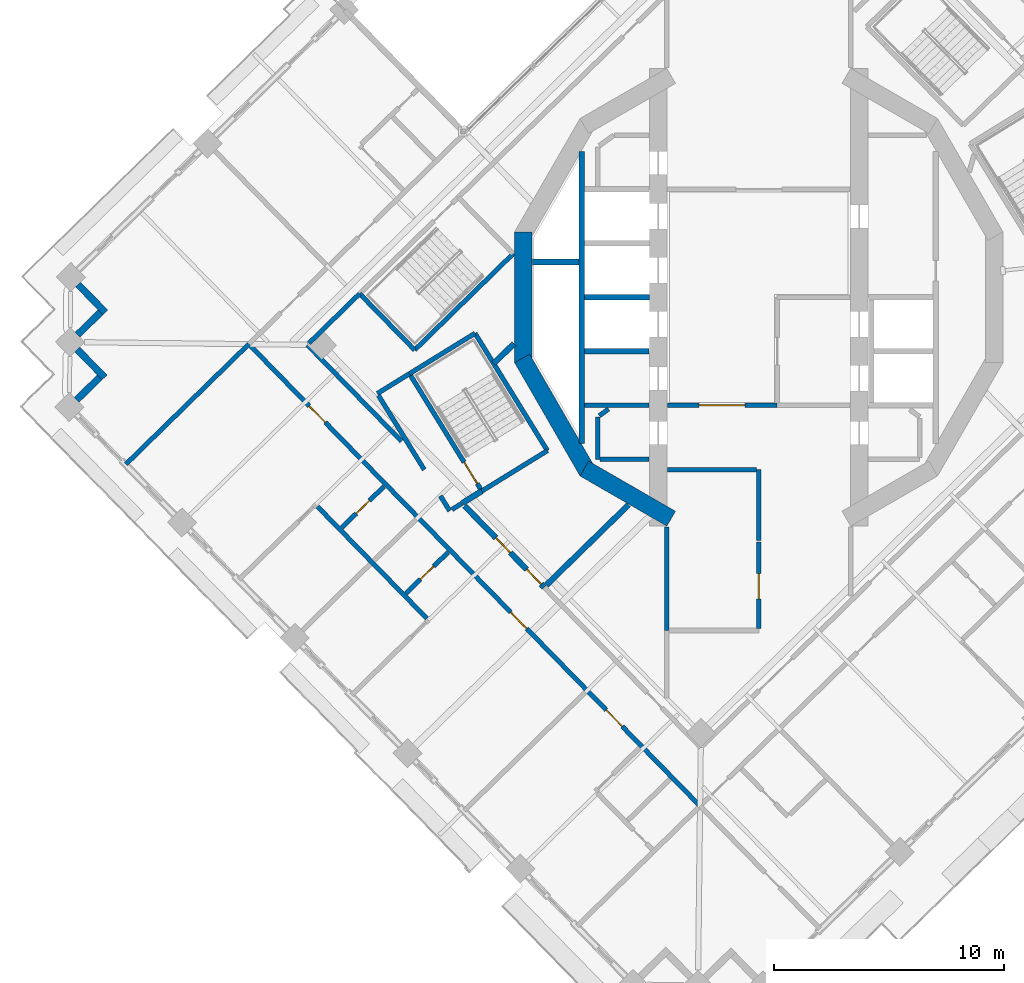
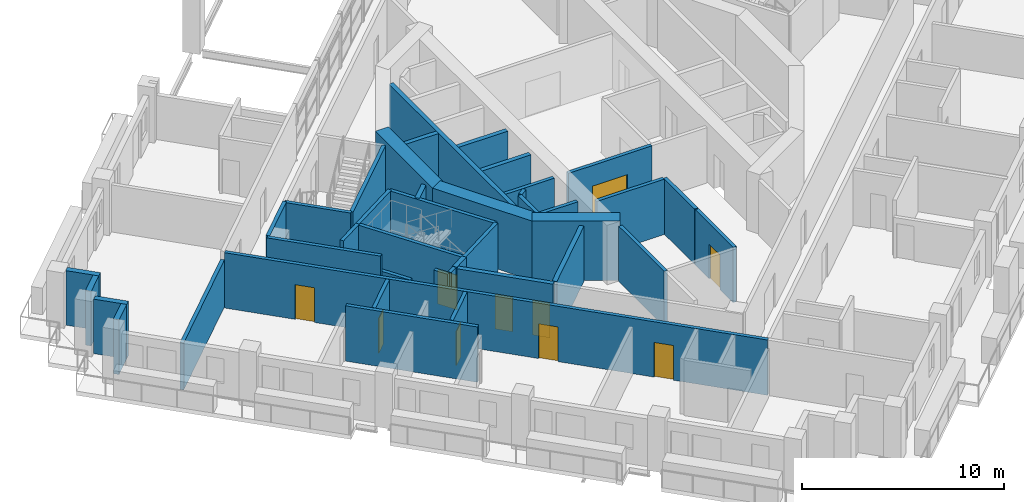
# One storey, part 6 of 19: 41 walls, 10 doors, 10 openings.
"""IFC4 building model written with IfcOpenShell, lengths in metres."""

import ifcopenshell
import ifcopenshell.guid

model = None  # the IFC model being written
_history = None  # IfcOwnerHistory: only IFC2X3 demands one
_inside = {}  # id of a spatial element -> (the spatial element, [elements in it])
_under = {}  # id of a project, library or spatial element -> (it, [spatial elements below it])
_declared = {}  # id of a project -> (the project, [libraries it declares])
_typed = {}  # id of a type object -> (the type object, [elements of that type])
_made_of = {}  # id of a material, layer set ... -> (it, [elements and type objects made of it])


def new_model(schema):
    """Start an empty IFC model of exactly this schema.

    Asked for "IFC4X3", IfcOpenShell would pick the latest addendum, in which some entities
    have other attributes; the version numbers below select the first issue.
    IFC2X3 requires an IfcOwnerHistory on every rooted entity: one is made here for all.
    """
    global model, _history
    if schema == "IFC4X3":
        model = ifcopenshell.file(schema_version=(4, 3, 0, 0))
    else:
        model = ifcopenshell.file(schema=schema)
    _inside.clear()
    _under.clear()
    _declared.clear()
    _typed.clear()
    _made_of.clear()
    _history = None
    if model.schema == "IFC2X3":
        org = make("IfcOrganization", Name="unknown")
        user = make(
            "IfcPersonAndOrganization",
            ThePerson=make("IfcPerson", FamilyName="unknown"),
            TheOrganization=org,
        )
        app = make(
            "IfcApplication",
            ApplicationDeveloper=org,
            Version="unknown",
            ApplicationFullName="unknown",
            ApplicationIdentifier="unknown",
        )
        _history = make(
            "IfcOwnerHistory",
            OwningUser=user,
            OwningApplication=app,
            ChangeAction="ADDED",
            CreationDate=0,
        )
    return model


def make(cls, **values):
    """One entity of the class cls with the attributes given. An attribute that is None is left unset."""
    return model.create_entity(
        cls, **{name: value for name, value in values.items() if value is not None}
    )


def rooted(cls, **values):
    """An entity with a GlobalId (a new one), such as an element, a storey or a relation."""
    return make(cls, GlobalId=ifcopenshell.guid.new(), OwnerHistory=_history, **values)


def si_unit(unit_type, name, prefix=None):
    """IfcSIUnit, for example si_unit("LENGTHUNIT", "METRE", prefix="MILLI")."""
    return make("IfcSIUnit", UnitType=unit_type, Prefix=prefix, Name=name)


def assignment(units):
    """IfcUnitAssignment: the units of a project."""
    return None if units is None else make("IfcUnitAssignment", Units=units)


def point(xyz):
    """IfcCartesianPoint."""
    return None if xyz is None else make("IfcCartesianPoint", Coordinates=xyz)


def direction(xyz):
    """IfcDirection."""
    return None if xyz is None else make("IfcDirection", DirectionRatios=xyz)


def frame(location, z_axis=None, x_axis=None):
    """IfcAxis2Placement3D, a coordinate frame: its origin and axes. An axis left out is left unset."""
    return make(
        "IfcAxis2Placement3D",
        Location=point(location),
        Axis=direction(z_axis),
        RefDirection=direction(x_axis),
    )


def frame_2d(location, x_axis=None):
    """IfcAxis2Placement2D, a coordinate frame in the plane: its origin and x axis."""
    return make(
        "IfcAxis2Placement2D", Location=point(location), RefDirection=direction(x_axis)
    )


def origin():
    """The frame at (0, 0, 0) with its axes left unset."""
    return frame((0.0, 0.0, 0.0))


def place(relative_to, where):
    """IfcLocalPlacement: puts the frame where relative to a parent placement (None: the world)."""
    return make(
        "IfcLocalPlacement", PlacementRelTo=relative_to, RelativePlacement=where
    )


def context(
    kind, dimensions, precision=None, world=None, true_north=None, identifier=None
):
    """IfcGeometricRepresentationContext, for example the 3D "Model" context."""
    return make(
        "IfcGeometricRepresentationContext",
        ContextIdentifier=identifier,
        ContextType=kind,
        CoordinateSpaceDimension=dimensions,
        Precision=precision,
        WorldCoordinateSystem=world,
        TrueNorth=true_north,
    )


def subcontext(parent, identifier, kind, view, scale=None):
    """IfcGeometricRepresentationSubContext, for example "Body" below "Model"."""
    return make(
        "IfcGeometricRepresentationSubContext",
        ContextIdentifier=identifier,
        ContextType=kind,
        ParentContext=parent,
        TargetScale=scale,
        TargetView=view,
    )


def project(units=None, contexts=None):
    """IfcProject with its units and contexts."""
    return rooted(
        "IfcProject",
        Name="project",
        RepresentationContexts=contexts,
        UnitsInContext=assignment(units),
    )


def spatial(cls, under=None, at=None, **own):
    """A site, building, storey or space (cls), placed at a placement, below another one or the project."""
    s = rooted(cls, ObjectPlacement=at, **own)
    if under is not None:
        _under.setdefault(under.id(), (under, []))[1].append(s)
    return s


def profile(cls, at=None, kind="AREA", **sizes):
    """A parametric profile (cls). Its sizes go by their IFC names, for example OverallWidth=200.0."""
    return make(cls, ProfileType=kind, Position=at, **sizes)


def rectangle(**sizes):
    """IfcRectangleProfileDef."""
    return profile("IfcRectangleProfileDef", **sizes)


def extrude(swept, where, along, depth):
    """IfcExtrudedAreaSolid: the profile swept, set in the frame where, extruded along a direction by depth."""
    return make(
        "IfcExtrudedAreaSolid",
        SweptArea=swept,
        Position=where,
        ExtrudedDirection=direction(along),
        Depth=depth,
    )


def shape(context_of_items, identifier, shape_type, items):
    """IfcShapeRepresentation: the items that make up one representation, for example the "Body"."""
    return make(
        "IfcShapeRepresentation",
        ContextOfItems=context_of_items,
        RepresentationIdentifier=identifier,
        RepresentationType=shape_type,
        Items=items,
    )


def material(Name=None, Category=None):
    """IfcMaterial."""
    return make("IfcMaterial", Name=Name, Category=Category)


def layer(
    of_material, thickness, ventilated=None, Name=None, Category=None, Priority=None
):
    """IfcMaterialLayer: one layer of a wall or slab, of a material (None: an air gap)."""
    return make(
        "IfcMaterialLayer",
        Material=of_material,
        LayerThickness=thickness,
        IsVentilated=ventilated,
        Name=Name,
        Category=Category,
        Priority=Priority,
    )


def layer_set(layers, Name=None):
    """IfcMaterialLayerSet."""
    return make("IfcMaterialLayerSet", MaterialLayers=layers, LayerSetName=Name)


def made_of(thing, what):
    """Note that an element or type object is made of a material, layer set ...; save() writes the relation."""
    if what is not None:
        _made_of.setdefault(what.id(), (what, []))[1].append(thing)
    return thing


def type_object(cls, material=None, **own):
    """A type object (cls), such as IfcWallType, which elements share."""
    return made_of(rooted(cls, **own), material)


def element(
    cls,
    number,
    at=None,
    inside=None,
    cuts=None,
    type_object=None,
    material=None,
    context=None,
    identifier="Body",
    shape_type=None,
    held_by="IfcProductDefinitionShape",
    body=None,
    shapes=None,
    **own,
):
    """One element of the class cls, such as IfcWall. Its Tag is "e" and its number.

    at: its placement. inside: the storey or other place that contains it. cuts: it is an
    opening in that element (IfcRelVoidsElement). A single representation is given by context,
    identifier, shape_type and body (its items); several are given by shapes. held_by: the class
    of the entity that holds the representations. save() writes the other relations.
    """
    e = rooted(cls, Tag="e%d" % number, ObjectPlacement=at, **own)
    if body is not None:
        shapes = [shape(context, identifier, shape_type, body)]
    if shapes is not None:
        e.Representation = make(held_by, Representations=shapes)
    if inside is not None:
        _inside.setdefault(inside.id(), (inside, []))[1].append(e)
    if cuts is not None:
        rooted(
            "IfcRelVoidsElement", RelatingBuildingElement=cuts, RelatedOpeningElement=e
        )
    if type_object is not None:
        _typed.setdefault(type_object.id(), (type_object, []))[1].append(e)
    return made_of(e, material)


def fill(opening, filler):
    """IfcRelFillsElement: the door or window that sits in an opening."""
    return rooted(
        "IfcRelFillsElement",
        RelatingOpeningElement=opening,
        RelatedBuildingElement=filler,
    )


def aggregate(whole, parts):
    """IfcRelAggregates: a whole, such as a stair, and the parts it consists of."""
    return rooted("IfcRelAggregates", RelatingObject=whole, RelatedObjects=parts)


def save(model, path):
    """Write the relations noted so far, then the file.

    IfcRelAggregates (storeys below a building ...), IfcRelContainedInSpatialStructure (elements
    in a storey), IfcRelDefinesByType, IfcRelAssociatesMaterial and IfcRelDeclares: one each for
    every whole, place, type object, material and project.
    """
    for whole, parts in _under.values():
        aggregate(whole, parts)
    for where, things in _inside.values():
        rooted(
            "IfcRelContainedInSpatialStructure",
            RelatedElements=things,
            RelatingStructure=where,
        )
    for kind, things in _typed.values():
        rooted("IfcRelDefinesByType", RelatedObjects=things, RelatingType=kind)
    for what, things in _made_of.values():
        rooted("IfcRelAssociatesMaterial", RelatedObjects=things, RelatingMaterial=what)
    for by, libraries in _declared.values():
        rooted("IfcRelDeclares", RelatingContext=by, RelatedDefinitions=libraries)
    model.write(path)


model = new_model("IFC4")

# Units and contexts
model_context = context("Model", 3, precision=1e-05, world=origin(), true_north=direction((0.0, 1.0)))
body_context = subcontext(model_context, "Body", "Model", "MODEL_VIEW")
ifc_project = project(units=[si_unit("LENGTHUNIT", "METRE"), si_unit("AREAUNIT", "SQUARE_METRE"), si_unit("VOLUMEUNIT", "CUBIC_METRE"), si_unit("PLANEANGLEUNIT", "RADIAN"), si_unit("MASSUNIT", "GRAM", prefix="KILO")], contexts=[model_context])

# Site, building, storey
site_placement = place(None, origin())
site = spatial("IfcSite", under=ifc_project, at=site_placement, CompositionType="ELEMENT")
building_placement = place(site_placement, origin())
building = spatial("IfcBuilding", under=site, at=building_placement, Name="Cantera Rosa Tower", CompositionType="ELEMENT")
storey_placement = place(building_placement, frame((0.0, 0.0, 223.39990234375)))
storey = spatial("IfcBuildingStorey", under=building, at=storey_placement, Name="L48", CompositionType="ELEMENT", Elevation=223.39990234375)

# Wall
ifc_material_1 = material(Name="Gypsum board partition")
ifc_layer_1 = layer(ifc_material_1, 0.199951171875)
ifc_layer_set_1 = layer_set([ifc_layer_1], Name="CORRIDOR WALL 200 H2300")
wall_type_1 = type_object("IfcWallType", Name="CORRIDOR WALL 200 H2300", PredefinedType="PARTITIONING", material=ifc_layer_set_1)
wall_1_placement = place(storey_placement, frame((-16.548095703125, -4.274658203125, 0.0), z_axis=(0.0, 0.0, 1.0), x_axis=(0.524970357961, -0.851120510423, 0.0)))
element("IfcWall", 1, at=wall_1_placement, inside=storey, type_object=wall_type_1, Name="CORRIDOR WALL L48-012", PredefinedType="PARTITIONING", context=body_context, shape_type="SweptSolid", body=[
    extrude(rectangle(XDim=3.790771484375, YDim=0.199951171875, at=frame_2d((1.8955078125, 0.0))), origin(), (0.0, 0.0, 1.0), 2.300048828125),
])

# Wall, openings, doors
ifc_material_2 = material(Name="Gypsum board partition")
ifc_layer_2 = layer(ifc_material_2, 0.199951171875)
ifc_layer_set_2 = layer_set([ifc_layer_2], Name="CORRIDOR WALL 200 H3350")
wall_type_2 = type_object("IfcWallType", Name="CORRIDOR WALL 200 H3350", PredefinedType="PARTITIONING", material=ifc_layer_set_2)
wall_2_placement = place(storey_placement, frame((-22.109130859375, -2.125732421875, 0.0), z_axis=(0.0, 0.0, 1.0), x_axis=(0.698826334324, -0.715291377311, 0.0)))
wall_2 = element("IfcWall", 2, at=wall_2_placement, inside=storey, type_object=wall_type_2, Name="CORRIDOR WALL L48-003", PredefinedType="PARTITIONING", context=body_context, shape_type="SweptSolid", body=[
    extrude(rectangle(XDim=27.97998046875, YDim=0.199951171875, at=frame_2d((13.989990234375, 0.0))), origin(), (0.0, 0.0, 1.0), 3.35009765625),
])
opening_1_placement = place(wall_2_placement, frame((3.64990234375, 0.0, 0.0)))
opening_1 = element("IfcOpeningElement", 3, at=opening_1_placement, cuts=wall_2, Name="Opening L48-037", PredefinedType="OPENING", context=body_context, shape_type="SweptSolid", body=[
    extrude(rectangle(XDim=1.0, YDim=2.10009765625, at=frame_2d((0.5, 1.050048828125))), frame((0.0, 0.10986328125, 0.0), z_axis=(0.0, -1.0, 0.0), x_axis=(1.0, 0.0, 0.0)), (0.0, 0.0, 1.0), 0.219970703125),
])
opening_2_placement = place(wall_2_placement, frame((16.18505859375, 0.0, 0.0)))
opening_2 = element("IfcOpeningElement", 4, at=opening_2_placement, cuts=wall_2, Name="Opening L48-040", PredefinedType="OPENING", context=body_context, shape_type="SweptSolid", body=[
    extrude(rectangle(XDim=1.0, YDim=2.10009765625, at=frame_2d((0.5, 1.050048828125))), frame((0.0, 0.10986328125, 0.0), z_axis=(0.0, -1.0, 0.0), x_axis=(1.0, 0.0, 0.0)), (0.0, 0.0, 1.0), 0.219970703125),
])
opening_3_placement = place(wall_2_placement, frame((22.139892578125, 0.0, 0.0)))
opening_3 = element("IfcOpeningElement", 5, at=opening_3_placement, cuts=wall_2, Name="Opening L48-043", PredefinedType="OPENING", context=body_context, shape_type="SweptSolid", body=[
    extrude(rectangle(XDim=1.0, YDim=2.10009765625, at=frame_2d((0.5, 1.050048828125))), frame((0.0, 0.10986328125, 0.0), z_axis=(0.0, -1.0, 0.0), x_axis=(1.0, 0.0, 0.0)), (0.0, 0.0, 1.0), 0.219970703125),
])
ifc_material_3 = material(Name="Timber door leaf", Category="wood")
door_type_1 = type_object("IfcDoorType", Name="ENTRANCE DOOR 1000x2100", OperationType="NOTDEFINED", PredefinedType="DOOR", material=ifc_material_3)
door_1_placement = place(opening_1_placement, origin())
door_1 = element("IfcDoor", 6, at=door_1_placement, inside=storey, type_object=door_type_1, Name="DOOR L48-037", OperationType="NOTDEFINED", OverallHeight=2.10009765625, OverallWidth=1.0, PredefinedType="DOOR", context=body_context, shape_type="SweptSolid", body=[
    extrude(rectangle(XDim=1.0, YDim=2.10009765625, at=frame_2d((0.5, 1.050048828125))), frame((0.0, 0.02490234375, 0.0), z_axis=(0.0, -1.0, 0.0), x_axis=(1.0, 0.0, 0.0)), (0.0, 0.0, 1.0), 0.050048828125),
])
fill(opening_1, door_1)
door_2_placement = place(opening_2_placement, origin())
door_2 = element("IfcDoor", 7, at=door_2_placement, inside=storey, type_object=door_type_1, Name="DOOR L48-040", OperationType="NOTDEFINED", OverallHeight=2.10009765625, OverallWidth=1.0, PredefinedType="DOOR", context=body_context, shape_type="SweptSolid", body=[
    extrude(rectangle(XDim=1.0, YDim=2.10009765625, at=frame_2d((0.5, 1.050048828125))), frame((0.0, 0.02490234375, 0.0), z_axis=(0.0, -1.0, 0.0), x_axis=(1.0, 0.0, 0.0)), (0.0, 0.0, 1.0), 0.050048828125),
])
fill(opening_2, door_2)
door_3_placement = place(opening_3_placement, origin())
door_3 = element("IfcDoor", 8, at=door_3_placement, inside=storey, type_object=door_type_1, Name="DOOR L48-043", OperationType="NOTDEFINED", OverallHeight=2.10009765625, OverallWidth=1.0, PredefinedType="DOOR", context=body_context, shape_type="SweptSolid", body=[
    extrude(rectangle(XDim=1.0, YDim=2.10009765625, at=frame_2d((0.5, 1.050048828125))), frame((0.0, 0.02490234375, 0.0), z_axis=(0.0, -1.0, 0.0), x_axis=(1.0, 0.0, 0.0)), (0.0, 0.0, 1.0), 0.050048828125),
])
fill(opening_3, door_3)

# Walls
wall_3_placement = place(storey_placement, frame((-19.647705078125, -2.069580078125, 0.0), z_axis=(0.0, 0.0, 1.0), x_axis=(0.698845926006, -0.715272236079, 0.0)))
element("IfcWall", 9, at=wall_3_placement, inside=storey, type_object=wall_type_2, Name="CORRIDOR WALL L48-004", PredefinedType="PARTITIONING", context=body_context, shape_type="SweptSolid", body=[
    extrude(rectangle(XDim=5.870849609375, YDim=0.199951171875, at=frame_2d((2.935546875, 0.0))), origin(), (0.0, 0.0, 1.0), 3.35009765625),
])
wall_4_placement = place(storey_placement, frame((-17.36962890625, 0.156005859375, 0.0), z_axis=(0.0, 0.0, 1.0), x_axis=(-0.715289693103, -0.69882805821, 0.0)))
element("IfcWall", 10, at=wall_4_placement, inside=storey, type_object=wall_type_2, Name="CORRIDOR WALL L48-009", PredefinedType="PARTITIONING", context=body_context, shape_type="SweptSolid", body=[
    extrude(rectangle(XDim=3.084716796875, YDim=0.199951171875, at=frame_2d((1.54248046875, 0.0))), origin(), (0.0, 0.0, 1.0), 3.35009765625),
])
wall_5_placement = place(storey_placement, frame((-16.6005859375, -4.189697265625, 0.0), z_axis=(0.0, 0.0, 1.0), x_axis=(0.8510360128, 0.525107327047, 0.0)))
element("IfcWall", 11, at=wall_5_placement, inside=storey, type_object=wall_type_2, Name="CORRIDOR WALL L48-011", PredefinedType="PARTITIONING", context=body_context, shape_type="SweptSolid", body=[
    extrude(rectangle(XDim=1.64501953125, YDim=0.199951171875, at=frame_2d((0.822509765625, 0.0))), origin(), (0.0, 0.0, 1.0), 3.35009765625),
])
wall_6_placement = place(storey_placement, frame((-13.8525390625, -8.64501953125, 0.0), z_axis=(0.0, 0.0, 1.0), x_axis=(0.52482706305, -0.851208877944, 0.0)))
element("IfcWall", 12, at=wall_6_placement, inside=storey, type_object=wall_type_2, Name="CORRIDOR WALL L48-013", PredefinedType="PARTITIONING", context=body_context, shape_type="SweptSolid", body=[
    extrude(rectangle(XDim=0.76513671875, YDim=0.199951171875, at=frame_2d((0.382568359375, 0.0))), origin(), (0.0, 0.0, 1.0), 3.35009765625),
])
wall_7_placement = place(storey_placement, frame((-13.3486328125, -9.2333984375, 0.0), z_axis=(0.0, 0.0, 1.0), x_axis=(0.851004350762, 0.525158637922, 0.0)))
element("IfcWall", 13, at=wall_7_placement, inside=storey, type_object=wall_type_2, Name="CORRIDOR WALL L48-020", PredefinedType="PARTITIONING", context=body_context, shape_type="SweptSolid", body=[
    extrude(rectangle(XDim=0.51318359375, YDim=0.199951171875, at=frame_2d((0.256591796875, 0.0))), origin(), (0.0, 0.0, 1.0), 3.35009765625),
])

# Wall, opening, door
wall_8_placement = place(storey_placement, frame((0.0, -14.419921875, 0.0), z_axis=(0.0, 0.0, 1.0), x_axis=(0.0, 1.0, 0.0)))
wall_8 = element("IfcWall", 14, at=wall_8_placement, inside=storey, type_object=wall_type_2, Name="CORRIDOR WALL L48-062", PredefinedType="PARTITIONING", context=body_context, shape_type="SweptSolid", body=[
    extrude(rectangle(XDim=3.7646484375, YDim=0.199951171875, at=frame_2d((1.88232421875, 0.0))), origin(), (0.0, 0.0, 1.0), 3.35009765625),
])
opening_4_placement = place(wall_8_placement, frame((1.29248046875, 0.0, 0.0)))
opening_4 = element("IfcOpeningElement", 15, at=opening_4_placement, cuts=wall_8, Name="Opening L48-017", PredefinedType="OPENING", context=body_context, shape_type="SweptSolid", body=[
    extrude(rectangle(XDim=1.10009765625, YDim=2.10009765625, at=frame_2d((0.550048828125, 1.050048828125))), frame((0.0, 0.10986328125, 0.0), z_axis=(0.0, -1.0, 0.0), x_axis=(1.0, 0.0, 0.0)), (0.0, 0.0, 1.0), 0.219970703125),
])
ifc_material_4 = material(Name="Timber door leaf", Category="wood")
door_type_2 = type_object("IfcDoorType", Name="ROOM DOOR 1100x2100", OperationType="NOTDEFINED", PredefinedType="DOOR", material=ifc_material_4)
door_4_placement = place(opening_4_placement, origin())
door_4 = element("IfcDoor", 16, at=door_4_placement, inside=storey, type_object=door_type_2, Name="DOOR L48-017", OperationType="NOTDEFINED", OverallHeight=2.10009765625, OverallWidth=1.10009765625, PredefinedType="DOOR", context=body_context, shape_type="SweptSolid", body=[
    extrude(rectangle(XDim=1.10009765625, YDim=2.10009765625, at=frame_2d((0.550048828125, 1.050048828125))), frame((0.0, 0.02490234375, 0.0), z_axis=(0.0, -1.0, 0.0), x_axis=(1.0, 0.0, 0.0)), (0.0, 0.0, 1.0), 0.050048828125),
])
fill(opening_4, door_4)

# Walls
wall_9_placement = place(storey_placement, frame((0.0, -10.59521484375, 0.0), z_axis=(0.0, 0.0, 1.0), x_axis=(0.0, 1.0, 0.0)))
element("IfcWall", 17, at=wall_9_placement, inside=storey, type_object=wall_type_2, Name="CORRIDOR WALL L48-063", PredefinedType="PARTITIONING", context=body_context, shape_type="SweptSolid", body=[
    extrude(rectangle(XDim=3.09521484375, YDim=0.199951171875, at=frame_2d((1.547607421875, 0.0))), origin(), (0.0, 0.0, 1.0), 3.35009765625),
])
wall_10_placement = place(storey_placement, frame((-0.10009765625, -7.5, 0.0), z_axis=(0.0, 0.0, 1.0), x_axis=(-1.0, 0.0, 0.0)))
element("IfcWall", 18, at=wall_10_placement, inside=storey, type_object=wall_type_2, Name="CORRIDOR WALL L48-064", PredefinedType="PARTITIONING", context=body_context, shape_type="SweptSolid", body=[
    extrude(rectangle(XDim=3.869873046875, YDim=0.199951171875, at=frame_2d((1.93505859375, 0.0))), origin(), (0.0, 0.0, 1.0), 3.35009765625),
])

# Wall, opening, door
wall_11_placement = place(storey_placement, frame((0.800048828125, -4.699951171875, 0.0), z_axis=(0.0, 0.0, 1.0), x_axis=(-1.0, 0.0, 0.0)))
wall_11 = element("IfcWall", 19, at=wall_11_placement, inside=storey, type_object=wall_type_2, Name="CORRIDOR WALL L48-065", PredefinedType="PARTITIONING", context=body_context, shape_type="SweptSolid", body=[
    extrude(rectangle(XDim=4.77001953125, YDim=0.199951171875, at=frame_2d((2.385009765625, 0.0))), origin(), (0.0, 0.0, 1.0), 3.35009765625),
])
opening_5_placement = place(wall_11_placement, frame((1.39990234375, 0.0, 0.0)))
opening_5 = element("IfcOpeningElement", 20, at=opening_5_placement, cuts=wall_11, Name="Opening L48-015", PredefinedType="OPENING", context=body_context, shape_type="SweptSolid", body=[
    extrude(rectangle(XDim=2.0, YDim=2.10009765625, at=frame_2d((1.0, 1.050048828125))), frame((0.0, 0.10986328125, 0.0), z_axis=(0.0, -1.0, 0.0), x_axis=(1.0, 0.0, 0.0)), (0.0, 0.0, 1.0), 0.219970703125),
])
ifc_material_5 = material(Name="Steel S355J2 (EN 10025-2)", Category="steel")
door_type_3 = type_object("IfcDoorType", Name="LOBBY SCREEN DOOR 2000x2100", OperationType="NOTDEFINED", PredefinedType="DOOR", material=ifc_material_5)
door_5_placement = place(opening_5_placement, origin())
door_5 = element("IfcDoor", 21, at=door_5_placement, inside=storey, type_object=door_type_3, Name="DOOR L48-015", OperationType="NOTDEFINED", OverallHeight=2.10009765625, OverallWidth=2.0, PredefinedType="DOOR", context=body_context, shape_type="SweptSolid", body=[
    extrude(rectangle(XDim=2.0, YDim=2.10009765625, at=frame_2d((1.0, 1.050048828125))), frame((0.0, 0.02490234375, 0.0), z_axis=(0.0, -1.0, 0.0), x_axis=(1.0, 0.0, 0.0)), (0.0, 0.0, 1.0), 0.050048828125),
])
fill(opening_5, door_5)

# Walls
ifc_material_6 = material(Name="Hollow clay masonry with cantera stone cladding", Category="masonry")
ifc_layer_3 = layer(ifc_material_6, 0.300048828125)
ifc_layer_set_3 = layer_set([ifc_layer_3], Name="EW-LOGGIA 300")
wall_type_3 = type_object("IfcWallType", Name="EW-LOGGIA 300", PredefinedType="SOLIDWALL", material=ifc_layer_set_3)
wall_12_placement = place(storey_placement, frame((-29.623291015625, 0.556884765625, 0.0), z_axis=(0.0, 0.0, 1.0), x_axis=(0.69880105094, -0.715316077832, 0.0)))
element("IfcWall", 22, at=wall_12_placement, inside=storey, type_object=wall_type_3, Name="EN-L48-W12a", PredefinedType="SOLIDWALL", context=body_context, shape_type="SweptSolid", body=[
    extrude(rectangle(XDim=1.699951171875, YDim=0.300048828125, at=frame_2d((0.85009765625, 0.0))), origin(), (0.0, 0.0, 1.0), 3.300048828125),
])
wall_13_placement = place(storey_placement, frame((-28.6474609375, -0.65673828125, 0.0), z_axis=(0.0, 0.0, 1.0), x_axis=(-0.715341715727, -0.698774806172, 0.0)))
element("IfcWall", 23, at=wall_13_placement, inside=storey, type_object=wall_type_3, Name="EN-L48-W12b", PredefinedType="SOLIDWALL", context=body_context, shape_type="SweptSolid", body=[
    extrude(rectangle(XDim=1.39990234375, YDim=0.300048828125, at=frame_2d((0.699951171875, 0.0))), origin(), (0.0, 0.0, 1.0), 3.300048828125),
])
wall_14_placement = place(storey_placement, frame((-29.65625, -2.271484375, 0.0), z_axis=(0.0, 0.0, 1.0), x_axis=(0.698872839675, -0.715245939495, 0.0)))
element("IfcWall", 24, at=wall_14_placement, inside=storey, type_object=wall_type_3, Name="EN-L48-W13a", PredefinedType="SOLIDWALL", context=body_context, shape_type="SweptSolid", body=[
    extrude(rectangle(XDim=1.699951171875, YDim=0.300048828125, at=frame_2d((0.85009765625, 0.0))), origin(), (0.0, 0.0, 1.0), 3.300048828125),
])
wall_15_placement = place(storey_placement, frame((-28.680419921875, -3.48486328125, 0.0), z_axis=(0.0, 0.0, 1.0), x_axis=(-0.71516937164, -0.698951192766, 0.0)))
element("IfcWall", 25, at=wall_15_placement, inside=storey, type_object=wall_type_3, Name="EN-L48-W13b", PredefinedType="SOLIDWALL", context=body_context, shape_type="SweptSolid", body=[
    extrude(rectangle(XDim=1.39990234375, YDim=0.300048828125, at=frame_2d((0.699951171875, 0.0))), origin(), (0.0, 0.0, 1.0), 3.300048828125),
])
ifc_material_7 = material(Name="Gypsum board partition")
ifc_layer_4 = layer(ifc_material_7, 0.199951171875)
ifc_layer_set_4 = layer_set([ifc_layer_4], Name="PARTITION 200 H3350")
wall_type_4 = type_object("IfcWallType", Name="PARTITION 200 H3350", PredefinedType="PARTITIONING", material=ifc_layer_set_4)
wall_16_placement = place(storey_placement, frame((-19.19921875, -9.111083984375, 0.0), z_axis=(0.0, 0.0, 1.0), x_axis=(0.698837366631, -0.715280598787, 0.0)))
element("IfcWall", 26, at=wall_16_placement, inside=storey, type_object=wall_type_4, Name="PARTITION L48-005", PredefinedType="PARTITIONING", context=body_context, shape_type="SweptSolid", body=[
    extrude(rectangle(XDim=6.800048828125, YDim=0.199951171875, at=frame_2d((3.39990234375, 0.0))), origin(), (0.0, 0.0, 1.0), 3.35009765625),
])

# Wall, opening, door
wall_17_placement = place(storey_placement, frame((-18.14208984375, -10.021484375, 0.0), z_axis=(0.0, 0.0, 1.0), x_axis=(0.715307445705, 0.698809886965, 0.0)))
wall_17 = element("IfcWall", 27, at=wall_17_placement, inside=storey, type_object=wall_type_4, Name="PARTITION L48-007", PredefinedType="PARTITIONING", context=body_context, shape_type="SweptSolid", body=[
    extrude(rectangle(XDim=2.56005859375, YDim=0.199951171875, at=frame_2d((1.280029296875, 0.0))), origin(), (0.0, 0.0, 1.0), 3.35009765625),
])
opening_6_placement = place(wall_17_placement, frame((0.8798828125, 0.0, 0.0)))
opening_6 = element("IfcOpeningElement", 28, at=opening_6_placement, cuts=wall_17, Name="Opening L48-038", PredefinedType="OPENING", context=body_context, shape_type="SweptSolid", body=[
    extrude(rectangle(XDim=0.800048828125, YDim=2.10009765625, at=frame_2d((0.39990234375, 1.050048828125))), frame((0.0, 0.10986328125, 0.0), z_axis=(0.0, -1.0, 0.0), x_axis=(1.0, 0.0, 0.0)), (0.0, 0.0, 1.0), 0.219970703125),
])
ifc_material_8 = material(Name="Timber door leaf", Category="wood")
door_type_4 = type_object("IfcDoorType", Name="BATHROOM DOOR 800x2100", OperationType="NOTDEFINED", PredefinedType="DOOR", material=ifc_material_8)
door_6_placement = place(opening_6_placement, origin())
door_6 = element("IfcDoor", 29, at=door_6_placement, inside=storey, type_object=door_type_4, Name="DOOR L48-038", OperationType="NOTDEFINED", OverallHeight=2.10009765625, OverallWidth=0.800048828125, PredefinedType="DOOR", context=body_context, shape_type="SweptSolid", body=[
    extrude(rectangle(XDim=0.800048828125, YDim=2.10009765625, at=frame_2d((0.39990234375, 1.050048828125))), frame((0.0, 0.02490234375, 0.0), z_axis=(0.0, -1.0, 0.0), x_axis=(1.0, 0.0, 0.0)), (0.0, 0.0, 1.0), 0.050048828125),
])
fill(opening_6, door_6)

wall_18_placement = place(storey_placement, frame((-13.515380859375, -11.093505859375, 0.0), z_axis=(0.0, 0.0, 1.0), x_axis=(-0.715307445705, -0.698809886965, 0.0)))
wall_18 = element("IfcWall", 30, at=wall_18_placement, inside=storey, type_object=wall_type_4, Name="PARTITION L48-021", PredefinedType="PARTITIONING", context=body_context, shape_type="SweptSolid", body=[
    extrude(rectangle(XDim=2.56005859375, YDim=0.199951171875, at=frame_2d((1.280029296875, 0.0))), origin(), (0.0, 0.0, 1.0), 3.35009765625),
])
opening_7_placement = place(wall_18_placement, frame((0.8798828125, 0.0, 0.0)))
opening_7 = element("IfcOpeningElement", 31, at=opening_7_placement, cuts=wall_18, Name="Opening L48-041", PredefinedType="OPENING", context=body_context, shape_type="SweptSolid", body=[
    extrude(rectangle(XDim=0.800048828125, YDim=2.10009765625, at=frame_2d((0.39990234375, 1.050048828125))), frame((0.0, 0.10986328125, 0.0), z_axis=(0.0, -1.0, 0.0), x_axis=(1.0, 0.0, 0.0)), (0.0, 0.0, 1.0), 0.219970703125),
])
door_7_placement = place(opening_7_placement, origin())
door_7 = element("IfcDoor", 32, at=door_7_placement, inside=storey, type_object=door_type_4, Name="DOOR L48-041", OperationType="NOTDEFINED", OverallHeight=2.10009765625, OverallWidth=0.800048828125, PredefinedType="DOOR", context=body_context, shape_type="SweptSolid", body=[
    extrude(rectangle(XDim=0.800048828125, YDim=2.10009765625, at=frame_2d((0.39990234375, 1.050048828125))), frame((0.0, 0.02490234375, 0.0), z_axis=(0.0, -1.0, 0.0), x_axis=(1.0, 0.0, 0.0)), (0.0, 0.0, 1.0), 0.050048828125),
])
fill(opening_7, door_7)

# Walls
wall_19_placement = place(storey_placement, frame((-7.0, -7.050048828125, 0.0), z_axis=(0.0, 0.0, 1.0), x_axis=(0.0, 1.0, 0.0)))
element("IfcWall", 33, at=wall_19_placement, inside=storey, type_object=wall_type_4, Name="PARTITION L48-041", PredefinedType="PARTITIONING", context=body_context, shape_type="SweptSolid", body=[
    extrude(rectangle(XDim=1.85009765625, YDim=0.199951171875, at=frame_2d((0.925048828125, 0.0))), origin(), (0.0, 0.0, 1.0), 3.35009765625),
])
wall_20_placement = place(storey_placement, frame((-6.935302734375, -5.15283203125, 0.0), z_axis=(0.0, 0.0, 1.0), x_axis=(0.808368872862, 0.588676282338, 0.0)))
element("IfcWall", 34, at=wall_20_placement, inside=storey, type_object=wall_type_4, Name="PARTITION L48-042", PredefinedType="PARTITIONING", context=body_context, shape_type="SweptSolid", body=[
    extrude(rectangle(XDim=0.489013671875, YDim=0.199951171875, at=frame_2d((0.24462890625, 0.0))), origin(), (0.0, 0.0, 1.0), 3.35009765625),
])
wall_21_placement = place(storey_placement, frame((-4.780029296875, -7.050048828125, 0.0), z_axis=(0.0, 0.0, 1.0), x_axis=(-1.0, 0.0, 0.0)))
element("IfcWall", 35, at=wall_21_placement, inside=storey, type_object=wall_type_4, Name="PARTITION L48-048", PredefinedType="PARTITIONING", context=body_context, shape_type="SweptSolid", body=[
    extrude(rectangle(XDim=2.139892578125, YDim=0.199951171875, at=frame_2d((1.06982421875, 0.0))), origin(), (0.0, 0.0, 1.0), 3.35009765625),
])
wall_22_placement = place(storey_placement, frame((-4.780029296875, -4.699951171875, 0.0), z_axis=(0.0, 0.0, 1.0), x_axis=(-1.0, 0.0, 0.0)))
element("IfcWall", 36, at=wall_22_placement, inside=storey, type_object=wall_type_4, Name="PARTITION L48-049", PredefinedType="PARTITIONING", context=body_context, shape_type="SweptSolid", body=[
    extrude(rectangle(XDim=2.794921875, YDim=0.199951171875, at=frame_2d((1.3974609375, 0.0))), origin(), (0.0, 0.0, 1.0), 3.35009765625),
])
wall_23_placement = place(storey_placement, frame((-4.0, -9.994140625, 0.0), z_axis=(0.0, 0.0, 1.0), x_axis=(0.0, -1.0, 0.0)))
element("IfcWall", 37, at=wall_23_placement, inside=storey, type_object=wall_type_4, Name="PARTITION L48-053", PredefinedType="PARTITIONING", context=body_context, shape_type="SweptSolid", body=[
    extrude(rectangle(XDim=4.505859375, YDim=0.199951171875, at=frame_2d((2.2529296875, 0.0))), origin(), (0.0, 0.0, 1.0), 3.35009765625),
])
ifc_material_9 = material(Name="Gypsum board partition")
ifc_layer_5 = layer(ifc_material_9, 0.199951171875)
ifc_layer_set_5 = layer_set([ifc_layer_5], Name="PARTY WALL 200 H2850")
wall_type_5 = type_object("IfcWallType", Name="PARTY WALL 200 H2850", PredefinedType="PARTITIONING", material=ifc_layer_set_5)
wall_24_placement = place(storey_placement, frame((-22.193115234375, -2.0400390625, 0.0), z_axis=(0.0, 0.0, 1.0), x_axis=(-0.715278908715, -0.698839096465, 0.0)))
element("IfcWall", 38, at=wall_24_placement, inside=storey, type_object=wall_type_5, Name="PARTY WALL L48-002", PredefinedType="PARTITIONING", context=body_context, shape_type="SweptSolid", body=[
    extrude(rectangle(XDim=7.4697265625, YDim=0.199951171875, at=frame_2d((3.73486328125, 0.0))), origin(), (0.0, 0.0, 1.0), 2.85009765625),
])
ifc_material_10 = material(Name="Concrete C60/75", Category="concrete")
ifc_layer_6 = layer(ifc_material_10, 0.75)
ifc_layer_set_6 = layer_set([ifc_layer_6], Name="RC CORE WALL 750 C60/75")
wall_type_6 = type_object("IfcWallType", Name="RC CORE WALL 750 C60/75", PredefinedType="SHEAR", material=ifc_layer_set_6)
wall_25_placement = place(storey_placement, frame((-3.8125, -9.634765625, 0.0), z_axis=(0.0, 0.0, 1.0), x_axis=(-0.866013176292, 0.50002117804, 0.0)))
element("IfcWall", 39, at=wall_25_placement, inside=storey, type_object=wall_type_6, Name="CW-W1 L48", PredefinedType="SHEAR", context=body_context, shape_type="SweptSolid", body=[
    extrude(rectangle(XDim=4.362548828125, YDim=0.75, at=frame_2d((2.18115234375, 0.0))), origin(), (0.0, 0.0, 1.0), 3.60009765625),
])
wall_26_placement = place(storey_placement, frame((-7.453369140625, -7.590576171875, 0.0), z_axis=(0.0, 0.0, 1.0), x_axis=(-0.500021842983, 0.866012792365, 0.0)))
element("IfcWall", 40, at=wall_26_placement, inside=storey, type_object=wall_type_6, Name="CW-W2 L48", PredefinedType="SHEAR", context=body_context, shape_type="SweptSolid", body=[
    extrude(rectangle(XDim=5.694091796875, YDim=0.75, at=frame_2d((2.84716796875, 0.0))), origin(), (0.0, 0.0, 1.0), 3.60009765625),
])
wall_27_placement = place(storey_placement, frame((-10.250244140625, -2.846923828125, 0.0), z_axis=(0.0, 0.0, 1.0), x_axis=(0.0, 1.0, 0.0)))
element("IfcWall", 41, at=wall_27_placement, inside=storey, type_object=wall_type_6, Name="CW-W3 L48", PredefinedType="SHEAR", context=body_context, shape_type="SweptSolid", body=[
    extrude(rectangle(XDim=5.69384765625, YDim=0.75, at=frame_2d((2.846923828125, 0.0))), origin(), (0.0, 0.0, 1.0), 3.60009765625),
])
ifc_material_11 = material(Name="Masonry blockwork", Category="masonry")
ifc_layer_7 = layer(ifc_material_11, 0.25)
ifc_layer_set_7 = layer_set([ifc_layer_7], Name="SHAFT WALL 250 H3350")
wall_type_7 = type_object("IfcWallType", Name="SHAFT WALL 250 H3350", PredefinedType="SOLIDWALL", material=ifc_layer_set_7)
wall_28_placement = place(storey_placement, frame((-12.89501953125, -8.953369140625, 0.0), z_axis=(0.0, 0.0, 1.0), x_axis=(0.851108551738, 0.524989745765, 0.0)))
element("IfcWall", 42, at=wall_28_placement, inside=storey, type_object=wall_type_7, Name="SHAFT WALL L48-023", PredefinedType="SOLIDWALL", context=body_context, shape_type="SweptSolid", body=[
    extrude(rectangle(XDim=0.991943359375, YDim=0.25, at=frame_2d((0.49609375, 0.0))), origin(), (0.0, 0.0, 1.0), 3.35009765625),
])

# Wall, openings, doors
wall_29_placement = place(storey_placement, frame((-12.800048828125, -9.078369140625, 0.0), z_axis=(0.0, 0.0, 1.0), x_axis=(0.698824608222, -0.715293063676, 0.0)))
wall_29 = element("IfcWall", 43, at=wall_29_placement, inside=storey, type_object=wall_type_7, Name="SHAFT WALL L48-024", PredefinedType="SOLIDWALL", context=body_context, shape_type="SweptSolid", body=[
    extrude(rectangle(XDim=4.951416015625, YDim=0.25, at=frame_2d((2.4755859375, 0.0))), origin(), (0.0, 0.0, 1.0), 3.35009765625),
])
opening_8_placement = place(wall_29_placement, frame((3.862548828125, 0.0, 0.0)))
opening_8 = element("IfcOpeningElement", 44, at=opening_8_placement, cuts=wall_29, Name="Opening L48-009", PredefinedType="OPENING", context=body_context, shape_type="SweptSolid", body=[
    extrude(rectangle(XDim=0.89990234375, YDim=2.10009765625, at=frame_2d((0.449951171875, 1.050048828125))), frame((0.0, 0.135009765625, 0.0), z_axis=(0.0, -1.0, 0.0), x_axis=(1.0, 0.0, 0.0)), (0.0, 0.0, 1.0), 0.27001953125),
])
opening_9_placement = place(wall_29_placement, frame((1.94580078125, 0.0, 0.0)))
opening_9 = element("IfcOpeningElement", 45, at=opening_9_placement, cuts=wall_29, Name="Opening L48-057", PredefinedType="OPENING", context=body_context, shape_type="SweptSolid", body=[
    extrude(rectangle(XDim=0.89990234375, YDim=2.10009765625, at=frame_2d((0.449951171875, 1.050048828125))), frame((0.0, 0.135009765625, 0.0), z_axis=(0.0, -1.0, 0.0), x_axis=(1.0, 0.0, 0.0)), (0.0, 0.0, 1.0), 0.27001953125),
])
ifc_material_12 = material(Name="Timber door leaf", Category="wood")
door_type_5 = type_object("IfcDoorType", Name="SERVICE DOOR 900x2100", OperationType="NOTDEFINED", PredefinedType="DOOR", material=ifc_material_12)
door_8_placement = place(opening_8_placement, origin())
door_8 = element("IfcDoor", 46, at=door_8_placement, inside=storey, type_object=door_type_5, Name="RISER DOOR L48-009", OperationType="NOTDEFINED", OverallHeight=2.10009765625, OverallWidth=0.89990234375, PredefinedType="DOOR", context=body_context, shape_type="SweptSolid", body=[
    extrude(rectangle(XDim=0.89990234375, YDim=2.10009765625, at=frame_2d((0.449951171875, 1.050048828125))), frame((0.0, 0.02490234375, 0.0), z_axis=(0.0, -1.0, 0.0), x_axis=(1.0, 0.0, 0.0)), (0.0, 0.0, 1.0), 0.050048828125),
])
fill(opening_8, door_8)
door_9_placement = place(opening_9_placement, origin())
door_9 = element("IfcDoor", 47, at=door_9_placement, inside=storey, type_object=door_type_5, Name="RISER DOOR L48-057", OperationType="NOTDEFINED", OverallHeight=2.10009765625, OverallWidth=0.89990234375, PredefinedType="DOOR", context=body_context, shape_type="SweptSolid", body=[
    extrude(rectangle(XDim=0.89990234375, YDim=2.10009765625, at=frame_2d((0.449951171875, 1.050048828125))), frame((0.0, 0.02490234375, 0.0), z_axis=(0.0, -1.0, 0.0), x_axis=(1.0, 0.0, 0.0)), (0.0, 0.0, 1.0), 0.050048828125),
])
fill(opening_9, door_9)

# Walls
wall_30_placement = place(storey_placement, frame((-11.537353515625, -2.8837890625, 0.0), z_axis=(0.0, 0.0, 1.0), x_axis=(0.715175958394, 0.698944453111, 0.0)))
element("IfcWall", 48, at=wall_30_placement, inside=storey, type_object=wall_type_7, Name="SHAFT WALL L48-028", PredefinedType="SOLIDWALL", context=body_context, shape_type="SweptSolid", body=[
    extrude(rectangle(XDim=1.2333984375, YDim=0.25, at=frame_2d((0.61669921875, 0.0))), origin(), (0.0, 0.0, 1.0), 3.35009765625),
])
wall_31_placement = place(storey_placement, frame((-9.84521484375, 1.539306640625, 0.0), z_axis=(0.0, 0.0, 1.0), x_axis=(1.0, 0.0, 0.0)))
element("IfcWall", 49, at=wall_31_placement, inside=storey, type_object=wall_type_7, Name="SHAFT WALL L48-031", PredefinedType="SOLIDWALL", context=body_context, shape_type="SweptSolid", body=[
    extrude(rectangle(XDim=2.020263671875, YDim=0.25, at=frame_2d((1.01025390625, 0.0))), origin(), (0.0, 0.0, 1.0), 3.35009765625),
])
wall_32_placement = place(storey_placement, frame((-7.574951171875, -2.35009765625, 0.0), z_axis=(0.0, 0.0, 1.0), x_axis=(1.0, 0.0, 0.0)))
element("IfcWall", 50, at=wall_32_placement, inside=storey, type_object=wall_type_7, Name="SHAFT WALL L48-034", PredefinedType="SOLIDWALL", context=body_context, shape_type="SweptSolid", body=[
    extrude(rectangle(XDim=2.794921875, YDim=0.25, at=frame_2d((1.3974609375, 0.0))), origin(), (0.0, 0.0, 1.0), 3.35009765625),
])
wall_33_placement = place(storey_placement, frame((-7.574951171875, 0.0, 0.0), z_axis=(0.0, 0.0, 1.0), x_axis=(1.0, 0.0, 0.0)))
element("IfcWall", 51, at=wall_33_placement, inside=storey, type_object=wall_type_7, Name="SHAFT WALL L48-035", PredefinedType="SOLIDWALL", context=body_context, shape_type="SweptSolid", body=[
    extrude(rectangle(XDim=2.824951171875, YDim=0.25, at=frame_2d((1.41259765625, 0.0))), origin(), (0.0, 0.0, 1.0), 3.35009765625),
])
wall_34_placement = place(storey_placement, frame((-7.699951171875, 6.353515625, 0.0), z_axis=(0.0, 0.0, 1.0), x_axis=(0.0, -1.0, 0.0)))
element("IfcWall", 52, at=wall_34_placement, inside=storey, type_object=wall_type_7, Name="SHAFT WALL L48-038", PredefinedType="SOLIDWALL", context=body_context, shape_type="SweptSolid", body=[
    extrude(rectangle(XDim=12.70703125, YDim=0.25, at=frame_2d((6.353515625, 0.0))), origin(), (0.0, 0.0, 1.0), 3.35009765625),
])
wall_35_placement = place(storey_placement, frame((-5.6669921875, -9.03173828125, 0.0), z_axis=(0.0, 0.0, 1.0), x_axis=(-0.715294921359, -0.698822706756, 0.0)))
element("IfcWall", 53, at=wall_35_placement, inside=storey, type_object=wall_type_7, Name="SHAFT WALL L48-047", PredefinedType="SOLIDWALL", context=body_context, shape_type="SweptSolid", body=[
    extrude(rectangle(XDim=4.994873046875, YDim=0.25, at=frame_2d((2.49755859375, 0.0))), origin(), (0.0, 0.0, 1.0), 3.35009765625),
])
ifc_material_13 = material(Name="Concrete C50/60", Category="concrete")
ifc_layer_8 = layer(ifc_material_13, 0.199951171875)
ifc_layer_set_8 = layer_set([ifc_layer_8], Name="STAIR WALL 200 H3350")
wall_type_8 = type_object("IfcWallType", Name="STAIR WALL 200 H3350", PredefinedType="SOLIDWALL", material=ifc_layer_set_8)
wall_36_placement = place(storey_placement, frame((-15.20068359375, -3.325927734375, 0.0), z_axis=(0.0, 0.0, 1.0), x_axis=(0.85113993661, 0.524938861495, 0.0)))
element("IfcWall", 54, at=wall_36_placement, inside=storey, type_object=wall_type_8, Name="STAIR WALL L48-015", PredefinedType="SOLIDWALL", context=body_context, shape_type="SweptSolid", body=[
    extrude(rectangle(XDim=3.35009765625, YDim=0.199951171875, at=frame_2d((1.675048828125, 0.0))), origin(), (0.0, 0.0, 1.0), 3.35009765625),
])
wall_37_placement = place(storey_placement, frame((-14.975341796875, -2.294677734375, 0.0), z_axis=(0.0, 0.0, 1.0), x_axis=(-0.698828566482, 0.715289196527, 0.0)))
element("IfcWall", 55, at=wall_37_placement, inside=storey, type_object=wall_type_8, Name="STAIR WALL L48-016", PredefinedType="SOLIDWALL", context=body_context, shape_type="SweptSolid", body=[
    extrude(rectangle(XDim=3.426025390625, YDim=0.199951171875, at=frame_2d((1.712890625, 0.0))), origin(), (0.0, 0.0, 1.0), 3.35009765625),
])
wall_38_placement = place(storey_placement, frame((-12.349365234375, -1.5673828125, 0.0), z_axis=(0.0, 0.0, 1.0), x_axis=(0.524982543144, -0.851112994493, 0.0)))
element("IfcWall", 56, at=wall_38_placement, inside=storey, type_object=wall_type_8, Name="STAIR WALL L48-025", PredefinedType="SOLIDWALL", context=body_context, shape_type="SweptSolid", body=[
    extrude(rectangle(XDim=6.0, YDim=0.199951171875, at=frame_2d((3.0, 0.0))), origin(), (0.0, 0.0, 1.0), 3.35009765625),
])

# Wall, opening, door
wall_39_placement = place(storey_placement, frame((-12.05078125, -8.4326171875, 0.0), z_axis=(0.0, 0.0, 1.0), x_axis=(-0.524982543144, 0.851112994493, 0.0)))
wall_39 = element("IfcWall", 57, at=wall_39_placement, inside=storey, type_object=wall_type_8, Name="STAIR WALL L48-026", PredefinedType="SOLIDWALL", context=body_context, shape_type="SweptSolid", body=[
    extrude(rectangle(XDim=6.0, YDim=0.199951171875, at=frame_2d((3.0, 0.0))), origin(), (0.0, 0.0, 1.0), 3.35009765625),
])
opening_10_placement = place(wall_39_placement, frame((0.375, 0.0, 0.0)))
opening_10 = element("IfcOpeningElement", 58, at=opening_10_placement, cuts=wall_39, Name="Opening L48-005", PredefinedType="OPENING", context=body_context, shape_type="SweptSolid", body=[
    extrude(rectangle(XDim=1.10009765625, YDim=2.10009765625, at=frame_2d((0.550048828125, 1.050048828125))), frame((0.0, 0.10986328125, 0.0), z_axis=(0.0, -1.0, 0.0), x_axis=(1.0, 0.0, 0.0)), (0.0, 0.0, 1.0), 0.219970703125),
])
ifc_material_14 = material(Name="Steel S355J2 (EN 10025-2)", Category="steel")
door_type_6 = type_object("IfcDoorType", Name="STAIR DOOR 1100x2100", OperationType="NOTDEFINED", PredefinedType="DOOR", material=ifc_material_14)
door_10_placement = place(opening_10_placement, origin())
door_10 = element("IfcDoor", 59, at=door_10_placement, inside=storey, type_object=door_type_6, Name="DOOR L48-005", OperationType="NOTDEFINED", OverallHeight=2.10009765625, OverallWidth=1.10009765625, PredefinedType="DOOR", context=body_context, shape_type="SweptSolid", body=[
    extrude(rectangle(XDim=1.10009765625, YDim=2.10009765625, at=frame_2d((0.550048828125, 1.050048828125))), frame((0.0, 0.02490234375, 0.0), z_axis=(0.0, -1.0, 0.0), x_axis=(1.0, 0.0, 0.0)), (0.0, 0.0, 1.0), 0.050048828125),
])
fill(opening_10, door_10)

# Walls
wall_40_placement = place(storey_placement, frame((-12.05078125, -8.4326171875, 0.0), z_axis=(0.0, 0.0, 1.0), x_axis=(0.85113993661, 0.524938861495, 0.0)))
element("IfcWall", 60, at=wall_40_placement, inside=storey, type_object=wall_type_8, Name="STAIR WALL L48-027", PredefinedType="SOLIDWALL", context=body_context, shape_type="SweptSolid", body=[
    extrude(rectangle(XDim=3.35009765625, YDim=0.199951171875, at=frame_2d((1.675048828125, 0.0))), origin(), (0.0, 0.0, 1.0), 3.35009765625),
])
wall_41_placement = place(storey_placement, frame((-10.68359375, 1.8984375, 0.0), z_axis=(0.0, 0.0, 1.0), x_axis=(-0.715278260946, -0.698839759471, 0.0)))
element("IfcWall", 61, at=wall_41_placement, inside=storey, type_object=wall_type_8, Name="STAIR WALL L48-029", PredefinedType="SOLIDWALL", context=body_context, shape_type="SweptSolid", body=[
    extrude(rectangle(XDim=6.0, YDim=0.199951171875, at=frame_2d((3.0, 0.0))), origin(), (0.0, 0.0, 1.0), 3.35009765625),
])

save(model, "model.ifc")
